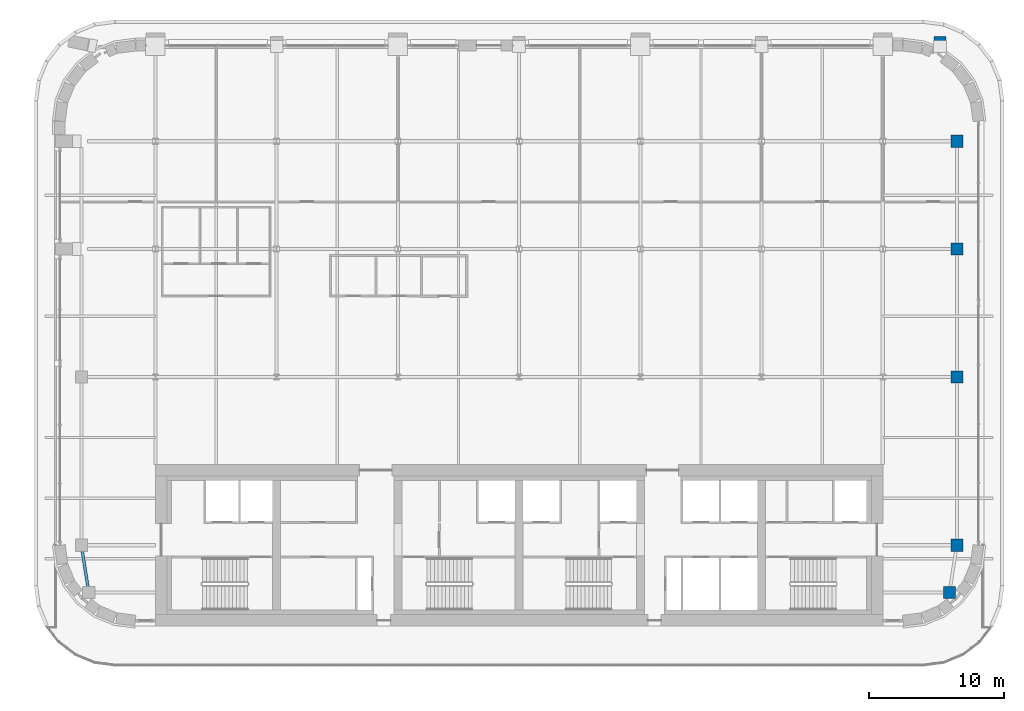
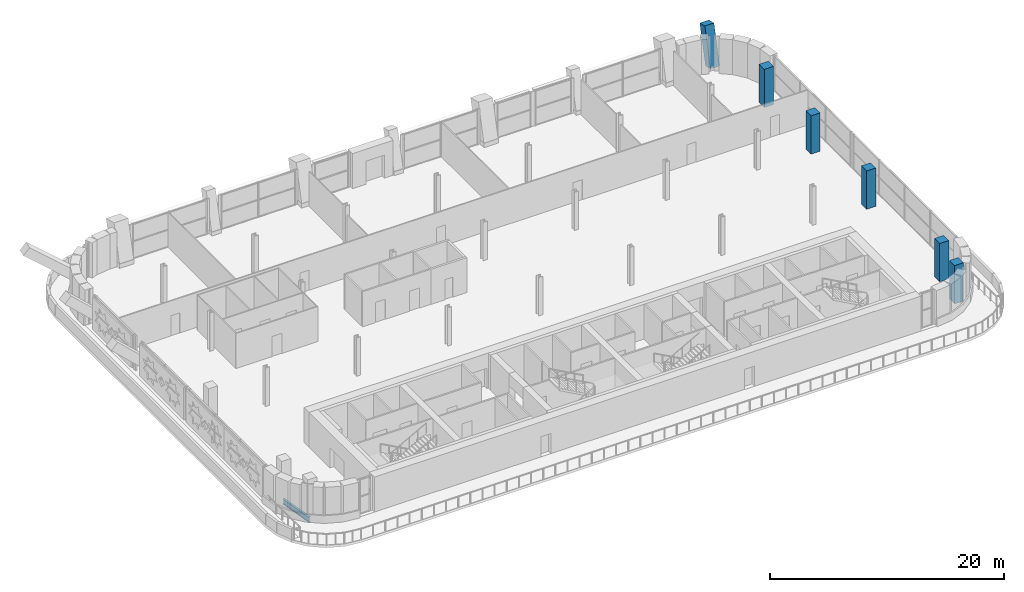
# One storey, part 2 of 23: 6 columns, 1 beam.
"""IFC4 building model written with IfcOpenShell, lengths in metres."""

from ifc_helpers import new_model, si_unit, direction, frame, origin, origin_2d, place, context, subcontext, project, spatial, rectangle, i_section, extrude, clip, halfspace, material, material_profile, profile_set, type_object, element, save


model = new_model("IFC4")

# Units and contexts
model_context = context("Model", 3, precision=1e-05, world=origin(), true_north=direction((0.0, 1.0)))
body_context = subcontext(model_context, "Body", "Model", "MODEL_VIEW")
ifc_project = project(units=[si_unit("LENGTHUNIT", "METRE"), si_unit("AREAUNIT", "SQUARE_METRE"), si_unit("VOLUMEUNIT", "CUBIC_METRE"), si_unit("PLANEANGLEUNIT", "RADIAN"), si_unit("MASSUNIT", "GRAM", prefix="KILO")], contexts=[model_context])

# Site, building, storey
site_placement = place(None, origin())
site = spatial("IfcSite", under=ifc_project, at=site_placement, CompositionType="ELEMENT")
building_placement = place(site_placement, origin())
building = spatial("IfcBuilding", under=site, at=building_placement, Name="Zellij Exchange Tower", CompositionType="ELEMENT")
storey_placement = place(building_placement, frame((0.0, 0.0, 212.5)))
storey = spatial("IfcBuildingStorey", under=building, at=storey_placement, Name="L49", CompositionType="ELEMENT", Elevation=212.5)

# Columns
ifc_material_1 = material(Name="Concrete C60/75", Category="concrete")
ifc_material_profile_1 = material_profile(ifc_material_1, rectangle(XDim=0.89990234375, YDim=0.89990234375, at=origin_2d()), Name="STR-COLUMN RC900x900 C60/75")
ifc_profile_set_1 = profile_set([ifc_material_profile_1], Name="Concrete C60/75")
column_type = type_object("IfcColumnType", Name="STR-COLUMN RC900x900 C60/75", PredefinedType="COLUMN", material=ifc_profile_set_1)
for number, where, z_axis, x_axis, name in (
    (1, (31.949951171875, -11.5, 0.0), (0.0, 0.0, 1.0), (1.0, 0.0, 0.0), "C16"),
    (2, (32.5, -8.0, 0.0), (0.0, 0.0, 1.0), (1.0, 0.0, 0.0), "C16"),
    (3, (32.5, 4.5, 0.0), (0.0, 0.0, 1.0), (1.0, 0.0, 0.0), "C16"),
    (4, (32.5, 14.0, 0.0), (0.0, 0.0, 1.0), (1.0, 0.0, 0.0), "C16"),
    (5, (32.5, 22.0, 0.0), (0.0, 0.0, 1.0), (1.0, 0.0, 0.0), "C16"),
):
    element("IfcColumn", number, at=place(storey_placement, frame(where, z_axis=z_axis, x_axis=x_axis)), inside=storey, type_object=column_type, Name=name, PredefinedType="COLUMN", context=body_context, shape_type="SweptSolid", body=[
        extrude(rectangle(XDim=0.89990234375, YDim=0.89990234375, at=origin_2d()), origin(), (0.0, 0.0, 1.0), 4.0),
    ])
column_placement = place(storey_placement, frame((31.25, 29.0, 0.0), z_axis=(0.0, 0.242535625036, 0.970142500145), x_axis=(-1.0, 0.0, 0.0)))
element("IfcColumn", 6, at=column_placement, inside=storey, type_object=column_type, Name="C16", PredefinedType="COLUMN", context=body_context, shape_type="Clipping", body=[
    clip(extrude(rectangle(XDim=0.89990234375, YDim=0.89990234375, at=origin_2d()), origin(), (0.0, 0.0, 1.0), 4.123046875), halfspace(frame((0.0, 0.0, 0.112548828125)), True)),
])

# Beam
ifc_material_2 = material(Name="Structural steel ASTM A992 Gr 50", Category="steel")
ifc_material_profile_2 = material_profile(ifc_material_2, i_section(OverallWidth=0.209228515625, OverallDepth=0.533447265625, WebThickness=0.01025390625, FlangeThickness=0.015625, at=origin_2d()), Name="W21x62")
ifc_profile_set_2 = profile_set([ifc_material_profile_2], Name="Structural steel ASTM A992 Gr 50")
beam_type = type_object("IfcBeamType", Name="STR-EDGE GIRDER W21x62", PredefinedType="BEAM", material=ifc_profile_set_2)
beam_placement = place(storey_placement, frame((-31.949951171875, -11.5, -0.566650390625), z_axis=(-0.155251283593, 0.987875011802, 0.0), x_axis=(-0.987875011802, -0.155251283593, 0.0)))
element("IfcBeam", 7, at=beam_placement, inside=storey, type_object=beam_type, Name="EB3", PredefinedType="BEAM", context=body_context, shape_type="SweptSolid", body=[
    extrude(i_section(OverallWidth=0.209228515625, OverallDepth=0.533447265625, WebThickness=0.01025390625, FlangeThickness=0.015625, at=origin_2d()), origin(), (0.0, 0.0, 1.0), 3.54296875),
])

save(model, "model.ifc")
